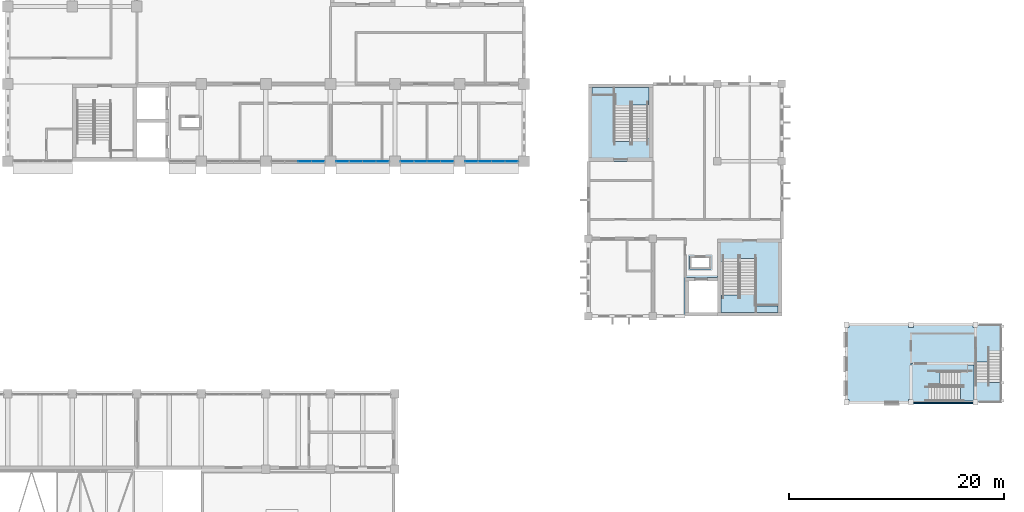
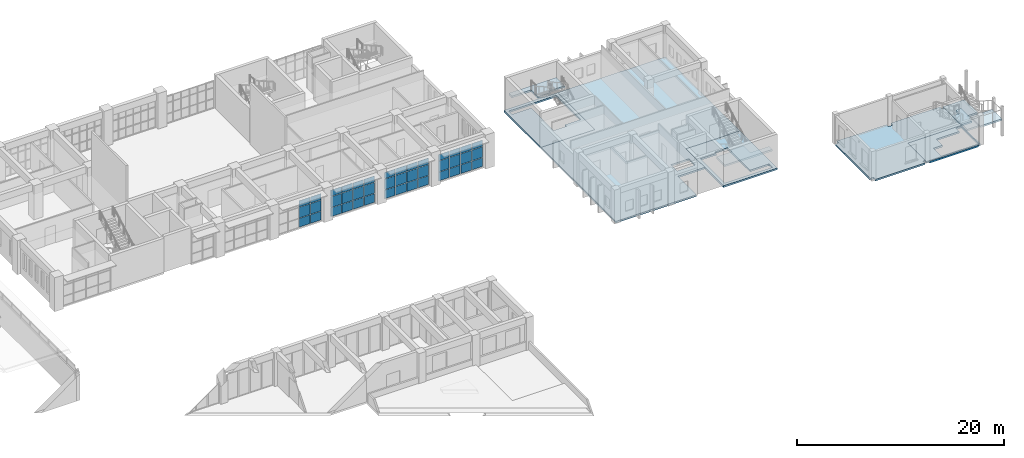
# One storey, part 56 of 92: 42 plates, 11 slabs, 8 elements without a shape of their own.
"""IFC4 building model written with IfcOpenShell, lengths in metres."""

from ifc_helpers import new_model, si_unit, direction, frame, origin, origin_2d, place, context, subcontext, project, spatial, polyline, rectangle, outline, extrude, material, layer, layer_set, type_object, element, aggregate, save


model = new_model("IFC4")

# Units and contexts
model_context = context("Model", 3, precision=1e-05, world=origin(), true_north=direction((0.0, 1.0)))
body_context = subcontext(model_context, "Body", "Model", "MODEL_VIEW")
ifc_project = project(units=[si_unit("LENGTHUNIT", "METRE"), si_unit("AREAUNIT", "SQUARE_METRE"), si_unit("VOLUMEUNIT", "CUBIC_METRE"), si_unit("PLANEANGLEUNIT", "RADIAN"), si_unit("MASSUNIT", "GRAM", prefix="KILO")], contexts=[model_context])

# Site, building, storey
site_placement = place(None, origin())
site = spatial("IfcSite", under=ifc_project, at=site_placement, CompositionType="ELEMENT")
building_placement = place(site_placement, origin())
building = spatial("IfcBuilding", under=site, at=building_placement, Name="Laocheng Heights Fire and Rescue Headquarters", CompositionType="ELEMENT")
storey_placement = place(building_placement, frame((0.0, 0.0, 12.60009765625)))
storey = spatial("IfcBuildingStorey", under=building, at=storey_placement, Name="L03", CompositionType="ELEMENT", Elevation=12.60009765625)

# Curtain wall, plates
ifc_material_1 = material(Name="Dark anodised aluminium unitised curtain wall, low-e double glazing", Category="aluminium")
curtain_wall_type = type_object("IfcCurtainWallType", Name="CW 5000 x 3200 HQ SOUTH RIBBON", PredefinedType="NOTDEFINED", material=ifc_material_1)
curtain_wall_1_placement = place(storey_placement, origin())
curtain_wall_1 = element("IfcCurtainWall", 1, at=curtain_wall_1_placement, inside=storey, type_object=curtain_wall_type, Name="X10-X HQ SOUTH L03", PredefinedType="NOTDEFINED")
ifc_material_2 = material(Name="Laminated safety glass, low-e double glazed unit", Category="glass")
ifc_layer_1 = layer(ifc_material_2, 0.0400390625)
ifc_layer_set_1 = layer_set([ifc_layer_1], Name="Laminated safety glass, low-e double glazed unit")
plate_type_1 = type_object("IfcPlateType", Name="CW LAMINATED SAFETY PANEL 40 X", PredefinedType="CURTAIN_PANEL", material=ifc_layer_set_1)
plate_1_placement = place(storey_placement, frame((63.625, 50.39990234375, 0.050048828125), z_axis=(0.0, 0.0, 1.0), x_axis=(1.0, 0.0, 0.0)))
plate_1 = element("IfcPlate", 2, at=plate_1_placement, type_object=plate_type_1, Name="X10-X panel 3.1", PredefinedType="CURTAIN_PANEL", context=body_context, shape_type="SweptSolid", body=[
    extrude(rectangle(XDim=1.18994140625, YDim=0.0400390625, at=origin_2d()), origin(), (0.0, 0.0, 1.0), 1.02490234375),
])
plate_2_placement = place(storey_placement, frame((64.860107421875, 50.39990234375, 0.050048828125), z_axis=(0.0, 0.0, 1.0), x_axis=(1.0, 0.0, 0.0)))
plate_2 = element("IfcPlate", 3, at=plate_2_placement, type_object=plate_type_1, Name="X10-X panel 4.1", PredefinedType="CURTAIN_PANEL", context=body_context, shape_type="SweptSolid", body=[
    extrude(rectangle(XDim=1.159912109375, YDim=0.0400390625, at=origin_2d()), origin(), (0.0, 0.0, 1.0), 1.02490234375),
])

curtain_wall_2_placement = place(storey_placement, origin())
curtain_wall_2 = element("IfcCurtainWall", 4, at=curtain_wall_2_placement, inside=storey, type_object=curtain_wall_type, Name="X10-X HQ SOUTH L03", PredefinedType="NOTDEFINED")
plate_3_placement = place(storey_placement, frame((67.139892578125, 50.39990234375, 0.050048828125), z_axis=(0.0, 0.0, 1.0), x_axis=(1.0, 0.0, 0.0)))
plate_3 = element("IfcPlate", 5, at=plate_3_placement, type_object=plate_type_1, Name="X10-X panel 1.1", PredefinedType="CURTAIN_PANEL", context=body_context, shape_type="SweptSolid", body=[
    extrude(rectangle(XDim=1.159912109375, YDim=0.0400390625, at=origin_2d()), origin(), (0.0, 0.0, 1.0), 1.02490234375),
])
plate_4_placement = place(storey_placement, frame((68.375, 50.39990234375, 0.050048828125), z_axis=(0.0, 0.0, 1.0), x_axis=(1.0, 0.0, 0.0)))
plate_4 = element("IfcPlate", 6, at=plate_4_placement, type_object=plate_type_1, Name="X10-X panel 2.1", PredefinedType="CURTAIN_PANEL", context=body_context, shape_type="SweptSolid", body=[
    extrude(rectangle(XDim=1.18994140625, YDim=0.0400390625, at=origin_2d()), origin(), (0.0, 0.0, 1.0), 1.02490234375),
])
plate_5_placement = place(storey_placement, frame((69.625, 50.39990234375, 0.050048828125), z_axis=(0.0, 0.0, 1.0), x_axis=(1.0, 0.0, 0.0)))
plate_5 = element("IfcPlate", 7, at=plate_5_placement, type_object=plate_type_1, Name="X10-X panel 3.1", PredefinedType="CURTAIN_PANEL", context=body_context, shape_type="SweptSolid", body=[
    extrude(rectangle(XDim=1.18994140625, YDim=0.0400390625, at=origin_2d()), origin(), (0.0, 0.0, 1.0), 1.02490234375),
])
plate_6_placement = place(storey_placement, frame((70.860107421875, 50.39990234375, 0.050048828125), z_axis=(0.0, 0.0, 1.0), x_axis=(1.0, 0.0, 0.0)))
plate_6 = element("IfcPlate", 8, at=plate_6_placement, type_object=plate_type_1, Name="X10-X panel 4.1", PredefinedType="CURTAIN_PANEL", context=body_context, shape_type="SweptSolid", body=[
    extrude(rectangle(XDim=1.159912109375, YDim=0.0400390625, at=origin_2d()), origin(), (0.0, 0.0, 1.0), 1.02490234375),
])

curtain_wall_3_placement = place(storey_placement, origin())
curtain_wall_3 = element("IfcCurtainWall", 9, at=curtain_wall_3_placement, inside=storey, type_object=curtain_wall_type, Name="X10-X HQ SOUTH L03", PredefinedType="NOTDEFINED")
plate_7_placement = place(storey_placement, frame((73.139892578125, 50.39990234375, 0.050048828125), z_axis=(0.0, 0.0, 1.0), x_axis=(1.0, 0.0, 0.0)))
plate_7 = element("IfcPlate", 10, at=plate_7_placement, type_object=plate_type_1, Name="X10-X panel 1.1", PredefinedType="CURTAIN_PANEL", context=body_context, shape_type="SweptSolid", body=[
    extrude(rectangle(XDim=1.159912109375, YDim=0.0400390625, at=origin_2d()), origin(), (0.0, 0.0, 1.0), 1.02490234375),
])
plate_8_placement = place(storey_placement, frame((74.375, 50.39990234375, 0.050048828125), z_axis=(0.0, 0.0, 1.0), x_axis=(1.0, 0.0, 0.0)))
plate_8 = element("IfcPlate", 11, at=plate_8_placement, type_object=plate_type_1, Name="X10-X panel 2.1", PredefinedType="CURTAIN_PANEL", context=body_context, shape_type="SweptSolid", body=[
    extrude(rectangle(XDim=1.18994140625, YDim=0.0400390625, at=origin_2d()), origin(), (0.0, 0.0, 1.0), 1.02490234375),
])
plate_9_placement = place(storey_placement, frame((75.625, 50.39990234375, 0.050048828125), z_axis=(0.0, 0.0, 1.0), x_axis=(1.0, 0.0, 0.0)))
plate_9 = element("IfcPlate", 12, at=plate_9_placement, type_object=plate_type_1, Name="X10-X panel 3.1", PredefinedType="CURTAIN_PANEL", context=body_context, shape_type="SweptSolid", body=[
    extrude(rectangle(XDim=1.18994140625, YDim=0.0400390625, at=origin_2d()), origin(), (0.0, 0.0, 1.0), 1.02490234375),
])
plate_10_placement = place(storey_placement, frame((76.860107421875, 50.39990234375, 0.050048828125), z_axis=(0.0, 0.0, 1.0), x_axis=(1.0, 0.0, 0.0)))
plate_10 = element("IfcPlate", 13, at=plate_10_placement, type_object=plate_type_1, Name="X10-X panel 4.1", PredefinedType="CURTAIN_PANEL", context=body_context, shape_type="SweptSolid", body=[
    extrude(rectangle(XDim=1.159912109375, YDim=0.0400390625, at=origin_2d()), origin(), (0.0, 0.0, 1.0), 1.02490234375),
])

curtain_wall_4_placement = place(storey_placement, origin())
curtain_wall_4 = element("IfcCurtainWall", 14, at=curtain_wall_4_placement, inside=storey, type_object=curtain_wall_type, Name="X10-X HQ SOUTH L03", PredefinedType="NOTDEFINED")
plate_11_placement = place(storey_placement, frame((79.139892578125, 50.39990234375, 0.050048828125), z_axis=(0.0, 0.0, 1.0), x_axis=(1.0, 0.0, 0.0)))
plate_11 = element("IfcPlate", 15, at=plate_11_placement, type_object=plate_type_1, Name="X10-X panel 1.1", PredefinedType="CURTAIN_PANEL", context=body_context, shape_type="SweptSolid", body=[
    extrude(rectangle(XDim=1.159912109375, YDim=0.0400390625, at=origin_2d()), origin(), (0.0, 0.0, 1.0), 1.02490234375),
])
plate_12_placement = place(storey_placement, frame((80.375, 50.39990234375, 0.050048828125), z_axis=(0.0, 0.0, 1.0), x_axis=(1.0, 0.0, 0.0)))
plate_12 = element("IfcPlate", 16, at=plate_12_placement, type_object=plate_type_1, Name="X10-X panel 2.1", PredefinedType="CURTAIN_PANEL", context=body_context, shape_type="SweptSolid", body=[
    extrude(rectangle(XDim=1.18994140625, YDim=0.0400390625, at=origin_2d()), origin(), (0.0, 0.0, 1.0), 1.02490234375),
])
plate_13_placement = place(storey_placement, frame((81.625, 50.39990234375, 0.050048828125), z_axis=(0.0, 0.0, 1.0), x_axis=(1.0, 0.0, 0.0)))
plate_13 = element("IfcPlate", 17, at=plate_13_placement, type_object=plate_type_1, Name="X10-X panel 3.1", PredefinedType="CURTAIN_PANEL", context=body_context, shape_type="SweptSolid", body=[
    extrude(rectangle(XDim=1.18994140625, YDim=0.0400390625, at=origin_2d()), origin(), (0.0, 0.0, 1.0), 1.02490234375),
])
plate_14_placement = place(storey_placement, frame((82.860107421875, 50.39990234375, 0.050048828125), z_axis=(0.0, 0.0, 1.0), x_axis=(1.0, 0.0, 0.0)))
plate_14 = element("IfcPlate", 18, at=plate_14_placement, type_object=plate_type_1, Name="X10-X panel 4.1", PredefinedType="CURTAIN_PANEL", context=body_context, shape_type="SweptSolid", body=[
    extrude(rectangle(XDim=1.159912109375, YDim=0.0400390625, at=origin_2d()), origin(), (0.0, 0.0, 1.0), 1.02490234375),
])

# Plate
ifc_material_3 = material(Name="Low-e double glazed unit, laminated inner pane")
ifc_layer_2 = layer(ifc_material_3, 0.028076171875)
ifc_layer_set_2 = layer_set([ifc_layer_2], Name="Low-e double glazed unit, laminated inner pane")
plate_type_2 = type_object("IfcPlateType", Name="CW VISION PANEL 28 X", PredefinedType="CURTAIN_PANEL", material=ifc_layer_set_2)
plate_15_placement = place(storey_placement, frame((63.625, 50.39990234375, 1.125), z_axis=(0.0, 0.0, 1.0), x_axis=(1.0, 0.0, 0.0)))
plate_15 = element("IfcPlate", 19, at=plate_15_placement, type_object=plate_type_2, Name="X10-X panel 3.2", PredefinedType="CURTAIN_PANEL", context=body_context, shape_type="SweptSolid", body=[
    extrude(rectangle(XDim=1.18994140625, YDim=0.028076171875, at=origin_2d()), origin(), (0.0, 0.0, 1.0), 1.25),
])

plate_16_placement = place(storey_placement, frame((63.625, 50.39990234375, 2.4248046875), z_axis=(0.0, 0.0, 1.0), x_axis=(1.0, 0.0, 0.0)))
plate_16 = element("IfcPlate", 20, at=plate_16_placement, type_object=plate_type_2, Name="X10-X panel 3.3", PredefinedType="CURTAIN_PANEL", context=body_context, shape_type="SweptSolid", body=[
    extrude(rectangle(XDim=1.18994140625, YDim=0.028076171875, at=origin_2d()), origin(), (0.0, 0.0, 1.0), 0.72509765625),
])

plate_17_placement = place(storey_placement, frame((64.860107421875, 50.39990234375, 1.125), z_axis=(0.0, 0.0, 1.0), x_axis=(1.0, 0.0, 0.0)))
plate_17 = element("IfcPlate", 21, at=plate_17_placement, type_object=plate_type_2, Name="X10-X panel 4.2", PredefinedType="CURTAIN_PANEL", context=body_context, shape_type="SweptSolid", body=[
    extrude(rectangle(XDim=1.159912109375, YDim=0.028076171875, at=origin_2d()), origin(), (0.0, 0.0, 1.0), 1.25),
])

plate_18_placement = place(storey_placement, frame((64.860107421875, 50.39990234375, 2.4248046875), z_axis=(0.0, 0.0, 1.0), x_axis=(1.0, 0.0, 0.0)))
plate_18 = element("IfcPlate", 22, at=plate_18_placement, type_object=plate_type_2, Name="X10-X panel 4.3", PredefinedType="CURTAIN_PANEL", context=body_context, shape_type="SweptSolid", body=[
    extrude(rectangle(XDim=1.159912109375, YDim=0.028076171875, at=origin_2d()), origin(), (0.0, 0.0, 1.0), 0.72509765625),
])

aggregate(curtain_wall_1, [plate_1, plate_15, plate_16, plate_2, plate_17, plate_18])

plate_19_placement = place(storey_placement, frame((67.139892578125, 50.39990234375, 1.125), z_axis=(0.0, 0.0, 1.0), x_axis=(1.0, 0.0, 0.0)))
plate_19 = element("IfcPlate", 23, at=plate_19_placement, type_object=plate_type_2, Name="X10-X panel 1.2", PredefinedType="CURTAIN_PANEL", context=body_context, shape_type="SweptSolid", body=[
    extrude(rectangle(XDim=1.159912109375, YDim=0.028076171875, at=origin_2d()), origin(), (0.0, 0.0, 1.0), 1.25),
])

plate_20_placement = place(storey_placement, frame((67.139892578125, 50.39990234375, 2.4248046875), z_axis=(0.0, 0.0, 1.0), x_axis=(1.0, 0.0, 0.0)))
plate_20 = element("IfcPlate", 24, at=plate_20_placement, type_object=plate_type_2, Name="X10-X panel 1.3", PredefinedType="CURTAIN_PANEL", context=body_context, shape_type="SweptSolid", body=[
    extrude(rectangle(XDim=1.159912109375, YDim=0.028076171875, at=origin_2d()), origin(), (0.0, 0.0, 1.0), 0.72509765625),
])

plate_21_placement = place(storey_placement, frame((68.375, 50.39990234375, 1.125), z_axis=(0.0, 0.0, 1.0), x_axis=(1.0, 0.0, 0.0)))
plate_21 = element("IfcPlate", 25, at=plate_21_placement, type_object=plate_type_2, Name="X10-X panel 2.2", PredefinedType="CURTAIN_PANEL", context=body_context, shape_type="SweptSolid", body=[
    extrude(rectangle(XDim=1.18994140625, YDim=0.028076171875, at=origin_2d()), origin(), (0.0, 0.0, 1.0), 1.25),
])

plate_22_placement = place(storey_placement, frame((68.375, 50.39990234375, 2.4248046875), z_axis=(0.0, 0.0, 1.0), x_axis=(1.0, 0.0, 0.0)))
plate_22 = element("IfcPlate", 26, at=plate_22_placement, type_object=plate_type_2, Name="X10-X panel 2.3", PredefinedType="CURTAIN_PANEL", context=body_context, shape_type="SweptSolid", body=[
    extrude(rectangle(XDim=1.18994140625, YDim=0.028076171875, at=origin_2d()), origin(), (0.0, 0.0, 1.0), 0.72509765625),
])

plate_23_placement = place(storey_placement, frame((69.625, 50.39990234375, 1.125), z_axis=(0.0, 0.0, 1.0), x_axis=(1.0, 0.0, 0.0)))
plate_23 = element("IfcPlate", 27, at=plate_23_placement, type_object=plate_type_2, Name="X10-X panel 3.2", PredefinedType="CURTAIN_PANEL", context=body_context, shape_type="SweptSolid", body=[
    extrude(rectangle(XDim=1.18994140625, YDim=0.028076171875, at=origin_2d()), origin(), (0.0, 0.0, 1.0), 1.25),
])

plate_24_placement = place(storey_placement, frame((69.625, 50.39990234375, 2.4248046875), z_axis=(0.0, 0.0, 1.0), x_axis=(1.0, 0.0, 0.0)))
plate_24 = element("IfcPlate", 28, at=plate_24_placement, type_object=plate_type_2, Name="X10-X panel 3.3", PredefinedType="CURTAIN_PANEL", context=body_context, shape_type="SweptSolid", body=[
    extrude(rectangle(XDim=1.18994140625, YDim=0.028076171875, at=origin_2d()), origin(), (0.0, 0.0, 1.0), 0.72509765625),
])

plate_25_placement = place(storey_placement, frame((70.860107421875, 50.39990234375, 1.125), z_axis=(0.0, 0.0, 1.0), x_axis=(1.0, 0.0, 0.0)))
plate_25 = element("IfcPlate", 29, at=plate_25_placement, type_object=plate_type_2, Name="X10-X panel 4.2", PredefinedType="CURTAIN_PANEL", context=body_context, shape_type="SweptSolid", body=[
    extrude(rectangle(XDim=1.159912109375, YDim=0.028076171875, at=origin_2d()), origin(), (0.0, 0.0, 1.0), 1.25),
])

plate_26_placement = place(storey_placement, frame((70.860107421875, 50.39990234375, 2.4248046875), z_axis=(0.0, 0.0, 1.0), x_axis=(1.0, 0.0, 0.0)))
plate_26 = element("IfcPlate", 30, at=plate_26_placement, type_object=plate_type_2, Name="X10-X panel 4.3", PredefinedType="CURTAIN_PANEL", context=body_context, shape_type="SweptSolid", body=[
    extrude(rectangle(XDim=1.159912109375, YDim=0.028076171875, at=origin_2d()), origin(), (0.0, 0.0, 1.0), 0.72509765625),
])

aggregate(curtain_wall_2, [plate_3, plate_19, plate_20, plate_4, plate_21, plate_22, plate_5, plate_23, plate_24, plate_6, plate_25, plate_26])

plate_27_placement = place(storey_placement, frame((73.139892578125, 50.39990234375, 1.125), z_axis=(0.0, 0.0, 1.0), x_axis=(1.0, 0.0, 0.0)))
plate_27 = element("IfcPlate", 31, at=plate_27_placement, type_object=plate_type_2, Name="X10-X panel 1.2", PredefinedType="CURTAIN_PANEL", context=body_context, shape_type="SweptSolid", body=[
    extrude(rectangle(XDim=1.159912109375, YDim=0.028076171875, at=origin_2d()), origin(), (0.0, 0.0, 1.0), 1.25),
])

plate_28_placement = place(storey_placement, frame((73.139892578125, 50.39990234375, 2.4248046875), z_axis=(0.0, 0.0, 1.0), x_axis=(1.0, 0.0, 0.0)))
plate_28 = element("IfcPlate", 32, at=plate_28_placement, type_object=plate_type_2, Name="X10-X panel 1.3", PredefinedType="CURTAIN_PANEL", context=body_context, shape_type="SweptSolid", body=[
    extrude(rectangle(XDim=1.159912109375, YDim=0.028076171875, at=origin_2d()), origin(), (0.0, 0.0, 1.0), 0.72509765625),
])

plate_29_placement = place(storey_placement, frame((74.375, 50.39990234375, 1.125), z_axis=(0.0, 0.0, 1.0), x_axis=(1.0, 0.0, 0.0)))
plate_29 = element("IfcPlate", 33, at=plate_29_placement, type_object=plate_type_2, Name="X10-X panel 2.2", PredefinedType="CURTAIN_PANEL", context=body_context, shape_type="SweptSolid", body=[
    extrude(rectangle(XDim=1.18994140625, YDim=0.028076171875, at=origin_2d()), origin(), (0.0, 0.0, 1.0), 1.25),
])

plate_30_placement = place(storey_placement, frame((74.375, 50.39990234375, 2.4248046875), z_axis=(0.0, 0.0, 1.0), x_axis=(1.0, 0.0, 0.0)))
plate_30 = element("IfcPlate", 34, at=plate_30_placement, type_object=plate_type_2, Name="X10-X panel 2.3", PredefinedType="CURTAIN_PANEL", context=body_context, shape_type="SweptSolid", body=[
    extrude(rectangle(XDim=1.18994140625, YDim=0.028076171875, at=origin_2d()), origin(), (0.0, 0.0, 1.0), 0.72509765625),
])

plate_31_placement = place(storey_placement, frame((75.625, 50.39990234375, 1.125), z_axis=(0.0, 0.0, 1.0), x_axis=(1.0, 0.0, 0.0)))
plate_31 = element("IfcPlate", 35, at=plate_31_placement, type_object=plate_type_2, Name="X10-X panel 3.2", PredefinedType="CURTAIN_PANEL", context=body_context, shape_type="SweptSolid", body=[
    extrude(rectangle(XDim=1.18994140625, YDim=0.028076171875, at=origin_2d()), origin(), (0.0, 0.0, 1.0), 1.25),
])

plate_32_placement = place(storey_placement, frame((75.625, 50.39990234375, 2.4248046875), z_axis=(0.0, 0.0, 1.0), x_axis=(1.0, 0.0, 0.0)))
plate_32 = element("IfcPlate", 36, at=plate_32_placement, type_object=plate_type_2, Name="X10-X panel 3.3", PredefinedType="CURTAIN_PANEL", context=body_context, shape_type="SweptSolid", body=[
    extrude(rectangle(XDim=1.18994140625, YDim=0.028076171875, at=origin_2d()), origin(), (0.0, 0.0, 1.0), 0.72509765625),
])

plate_33_placement = place(storey_placement, frame((76.860107421875, 50.39990234375, 1.125), z_axis=(0.0, 0.0, 1.0), x_axis=(1.0, 0.0, 0.0)))
plate_33 = element("IfcPlate", 37, at=plate_33_placement, type_object=plate_type_2, Name="X10-X panel 4.2", PredefinedType="CURTAIN_PANEL", context=body_context, shape_type="SweptSolid", body=[
    extrude(rectangle(XDim=1.159912109375, YDim=0.028076171875, at=origin_2d()), origin(), (0.0, 0.0, 1.0), 1.25),
])

plate_34_placement = place(storey_placement, frame((76.860107421875, 50.39990234375, 2.4248046875), z_axis=(0.0, 0.0, 1.0), x_axis=(1.0, 0.0, 0.0)))
plate_34 = element("IfcPlate", 38, at=plate_34_placement, type_object=plate_type_2, Name="X10-X panel 4.3", PredefinedType="CURTAIN_PANEL", context=body_context, shape_type="SweptSolid", body=[
    extrude(rectangle(XDim=1.159912109375, YDim=0.028076171875, at=origin_2d()), origin(), (0.0, 0.0, 1.0), 0.72509765625),
])

aggregate(curtain_wall_3, [plate_7, plate_27, plate_28, plate_8, plate_29, plate_30, plate_9, plate_31, plate_32, plate_10, plate_33, plate_34])

plate_35_placement = place(storey_placement, frame((79.139892578125, 50.39990234375, 1.125), z_axis=(0.0, 0.0, 1.0), x_axis=(1.0, 0.0, 0.0)))
plate_35 = element("IfcPlate", 39, at=plate_35_placement, type_object=plate_type_2, Name="X10-X panel 1.2", PredefinedType="CURTAIN_PANEL", context=body_context, shape_type="SweptSolid", body=[
    extrude(rectangle(XDim=1.159912109375, YDim=0.028076171875, at=origin_2d()), origin(), (0.0, 0.0, 1.0), 1.25),
])

plate_36_placement = place(storey_placement, frame((79.139892578125, 50.39990234375, 2.4248046875), z_axis=(0.0, 0.0, 1.0), x_axis=(1.0, 0.0, 0.0)))
plate_36 = element("IfcPlate", 40, at=plate_36_placement, type_object=plate_type_2, Name="X10-X panel 1.3", PredefinedType="CURTAIN_PANEL", context=body_context, shape_type="SweptSolid", body=[
    extrude(rectangle(XDim=1.159912109375, YDim=0.028076171875, at=origin_2d()), origin(), (0.0, 0.0, 1.0), 0.72509765625),
])

plate_37_placement = place(storey_placement, frame((80.375, 50.39990234375, 1.125), z_axis=(0.0, 0.0, 1.0), x_axis=(1.0, 0.0, 0.0)))
plate_37 = element("IfcPlate", 41, at=plate_37_placement, type_object=plate_type_2, Name="X10-X panel 2.2", PredefinedType="CURTAIN_PANEL", context=body_context, shape_type="SweptSolid", body=[
    extrude(rectangle(XDim=1.18994140625, YDim=0.028076171875, at=origin_2d()), origin(), (0.0, 0.0, 1.0), 1.25),
])

plate_38_placement = place(storey_placement, frame((80.375, 50.39990234375, 2.4248046875), z_axis=(0.0, 0.0, 1.0), x_axis=(1.0, 0.0, 0.0)))
plate_38 = element("IfcPlate", 42, at=plate_38_placement, type_object=plate_type_2, Name="X10-X panel 2.3", PredefinedType="CURTAIN_PANEL", context=body_context, shape_type="SweptSolid", body=[
    extrude(rectangle(XDim=1.18994140625, YDim=0.028076171875, at=origin_2d()), origin(), (0.0, 0.0, 1.0), 0.72509765625),
])

plate_39_placement = place(storey_placement, frame((81.625, 50.39990234375, 1.125), z_axis=(0.0, 0.0, 1.0), x_axis=(1.0, 0.0, 0.0)))
plate_39 = element("IfcPlate", 43, at=plate_39_placement, type_object=plate_type_2, Name="X10-X panel 3.2", PredefinedType="CURTAIN_PANEL", context=body_context, shape_type="SweptSolid", body=[
    extrude(rectangle(XDim=1.18994140625, YDim=0.028076171875, at=origin_2d()), origin(), (0.0, 0.0, 1.0), 1.25),
])

plate_40_placement = place(storey_placement, frame((81.625, 50.39990234375, 2.4248046875), z_axis=(0.0, 0.0, 1.0), x_axis=(1.0, 0.0, 0.0)))
plate_40 = element("IfcPlate", 44, at=plate_40_placement, type_object=plate_type_2, Name="X10-X panel 3.3", PredefinedType="CURTAIN_PANEL", context=body_context, shape_type="SweptSolid", body=[
    extrude(rectangle(XDim=1.18994140625, YDim=0.028076171875, at=origin_2d()), origin(), (0.0, 0.0, 1.0), 0.72509765625),
])

plate_41_placement = place(storey_placement, frame((82.860107421875, 50.39990234375, 1.125), z_axis=(0.0, 0.0, 1.0), x_axis=(1.0, 0.0, 0.0)))
plate_41 = element("IfcPlate", 45, at=plate_41_placement, type_object=plate_type_2, Name="X10-X panel 4.2", PredefinedType="CURTAIN_PANEL", context=body_context, shape_type="SweptSolid", body=[
    extrude(rectangle(XDim=1.159912109375, YDim=0.028076171875, at=origin_2d()), origin(), (0.0, 0.0, 1.0), 1.25),
])

plate_42_placement = place(storey_placement, frame((82.860107421875, 50.39990234375, 2.4248046875), z_axis=(0.0, 0.0, 1.0), x_axis=(1.0, 0.0, 0.0)))
plate_42 = element("IfcPlate", 46, at=plate_42_placement, type_object=plate_type_2, Name="X10-X panel 4.3", PredefinedType="CURTAIN_PANEL", context=body_context, shape_type="SweptSolid", body=[
    extrude(rectangle(XDim=1.159912109375, YDim=0.028076171875, at=origin_2d()), origin(), (0.0, 0.0, 1.0), 0.72509765625),
])

aggregate(curtain_wall_4, [plate_11, plate_35, plate_36, plate_12, plate_37, plate_38, plate_13, plate_39, plate_40, plate_14, plate_41, plate_42])

# Slabs
ifc_material_4 = material(Name="Concrete C40", Category="concrete")
ifc_layer_3 = layer(ifc_material_4, 0.199951171875)
ifc_layer_set_3 = layer_set([ifc_layer_3], Name="Concrete C40")
slab_type_1 = type_object("IfcSlabType", Name="RC FLOOR SLAB 200 CREW", PredefinedType="FLOOR", material=ifc_layer_set_3)
slab_1_placement = place(storey_placement, frame((0.0, 0.0, -0.2001953125)))
element("IfcSlab", 47, at=slab_1_placement, inside=storey, type_object=slab_type_1, Name="Crew floor L03", PredefinedType="FLOOR", context=body_context, shape_type="SweptSolid", body=[
    extrude(outline(polyline([(108.0, 57.60009765625), (96.0, 57.60009765625), (96.0, 50.39990234375), (90.0, 50.39990234375), (90.0, 36.0), (99.0, 36.0), (99.0, 39.60009765625), (102.0, 39.60009765625), (102.0, 43.199951171875), (108.0, 43.199951171875), (108.0, 57.60009765625)]), holes=[polyline([(101.39990234375, 40.39990234375), (99.39990234375, 40.39990234375), (99.39990234375, 41.60009765625), (101.39990234375, 41.60009765625), (101.39990234375, 40.39990234375)])]), origin(), (0.0, 0.0, 1.0), 0.2001953125),
])
ifc_material_5 = material(Name="Concrete C40", Category="concrete")
ifc_layer_4 = layer(ifc_material_5, 0.199951171875)
ifc_layer_set_4 = layer_set([ifc_layer_4], Name="Concrete C40")
slab_type_2 = type_object("IfcSlabType", Name="RC FLOOR SLAB 200 DRILL TOWER", PredefinedType="FLOOR", material=ifc_layer_set_4)
slab_2_placement = place(storey_placement, frame((0.0, 0.0, 1.199951171875)))
element("IfcSlab", 48, at=slab_2_placement, inside=storey, type_object=slab_type_2, Name="Drill tower floor F5", PredefinedType="FLOOR", context=body_context, shape_type="SweptSolid", body=[
    extrude(outline(polyline([(126.0, 31.60009765625), (126.0, 34.949951171875), (125.75, 34.949951171875), (125.75, 35.324951171875), (120.25, 35.324951171875), (120.25, 34.949951171875), (119.75, 34.949951171875), (119.75, 35.324951171875), (114.25, 35.324951171875), (114.25, 34.949951171875), (113.875, 34.949951171875), (113.875, 28.25), (114.25, 28.25), (114.25, 27.875), (119.75, 27.875), (119.75, 28.25), (120.0, 28.25), (120.0, 31.60009765625), (126.0, 31.60009765625)])), origin(), (0.0, 0.0, 1.0), 0.199951171875),
])
slab_3_placement = place(storey_placement, frame((0.0, 0.0, 1.199951171875)))
element("IfcSlab", 49, at=slab_3_placement, inside=storey, type_object=slab_type_2, Name="Drill tower floor F5", PredefinedType="FLOOR", context=body_context, shape_type="SweptSolid", body=[
    extrude(outline(polyline([(120.25, 27.875), (125.75, 27.875), (125.75, 28.0), (120.25, 28.0), (120.25, 27.875)])), origin(), (0.0, 0.0, 1.0), 0.199951171875),
])

# Stair, slab
ifc_material_6 = material(Name="Concrete C40", Category="concrete")
stair_type_1 = type_object("IfcStairType", Name="RC STAIR 1400 TWO FLIGHTS 28 RISERS OF 150 GOING 260", PredefinedType="HALF_TURN_STAIR", material=ifc_material_6)
stair_1_placement = place(storey_placement, origin())
stair_1 = element("IfcStair", 50, at=stair_1_placement, inside=storey, type_object=stair_type_1, Name="Stair C1 (L03 to L04)", PredefinedType="HALF_TURN_STAIR")
ifc_material_7 = material(Name="Concrete C40", Category="concrete")
ifc_layer_5 = layer(ifc_material_7, 0.199951171875)
ifc_layer_set_5 = layer_set([ifc_layer_5], Name="Concrete C40")
slab_type_3 = type_object("IfcSlabType", Name="STAIR FLOOR LANDING 200", PredefinedType="LANDING", material=ifc_layer_set_5)
slab_4_placement = place(storey_placement, frame((0.0, 0.0, -0.2001953125)))
slab_4 = element("IfcSlab", 51, at=slab_4_placement, type_object=slab_type_3, Name="Stair C1 floor landing L03", PredefinedType="LANDING", context=body_context, shape_type="SweptSolid", body=[
    extrude(outline(polyline([(102.0, 43.199951171875), (108.0, 43.199951171875), (108.0, 36.0), (102.0, 36.0), (102.0, 43.199951171875)]), holes=[polyline([(105.52490234375, 36.35009765625), (107.64990234375, 36.35009765625), (107.64990234375, 36.949951171875), (107.60009765625, 36.949951171875), (107.60009765625, 37.0), (105.52490234375, 37.0), (105.52490234375, 38.270263671875), (105.52490234375, 41.346923828125), (104.125, 41.346923828125), (104.125, 41.0498046875), (102.35009765625, 41.0498046875), (102.35009765625, 37.972900390625), (102.35009765625, 36.35009765625), (104.125, 36.35009765625), (105.52490234375, 36.35009765625)])]), origin(), (0.0, 0.0, 1.0), 0.2001953125),
])

stair_2_placement = place(storey_placement, origin())
stair_2 = element("IfcStair", 52, at=stair_2_placement, inside=storey, type_object=stair_type_1, Name="Stair C2 (L03 to L04)", PredefinedType="HALF_TURN_STAIR")
slab_5_placement = place(storey_placement, frame((0.0, 0.0, -0.2001953125)))
slab_5 = element("IfcSlab", 53, at=slab_5_placement, type_object=slab_type_3, Name="Stair C2 floor landing L03", PredefinedType="LANDING", context=body_context, shape_type="SweptSolid", body=[
    extrude(outline(polyline([(90.0, 57.60009765625), (96.0, 57.60009765625), (96.0, 50.39990234375), (90.0, 50.39990234375), (90.0, 57.60009765625)]), holes=[polyline([(92.47509765625, 57.25), (90.35009765625, 57.25), (90.35009765625, 56.64990234375), (90.39990234375, 56.64990234375), (90.39990234375, 56.60009765625), (92.47509765625, 56.60009765625), (92.47509765625, 55.329833984375), (92.47509765625, 52.2529296875), (93.875, 52.2529296875), (93.875, 52.550048828125), (95.64990234375, 52.550048828125), (95.64990234375, 55.626953125), (95.64990234375, 57.25), (93.875, 57.25), (92.47509765625, 57.25)])]), origin(), (0.0, 0.0, 1.0), 0.2001953125),
])

ifc_material_8 = material(Name="Concrete C40", Category="concrete")
stair_type_2 = type_object("IfcStairType", Name="RC STAIR 1200 TWO FLIGHTS 20 RISERS OF 175 GOING 270", PredefinedType="HALF_TURN_STAIR", material=ifc_material_8)
stair_3_placement = place(storey_placement, origin())
stair_3 = element("IfcStair", 54, at=stair_3_placement, inside=storey, type_object=stair_type_2, Name="Stair T1 (F5 to F6)", PredefinedType="HALF_TURN_STAIR")
slab_6_placement = place(storey_placement, frame((0.0, 0.0, 1.199951171875)))
slab_6 = element("IfcSlab", 55, at=slab_6_placement, type_object=slab_type_3, Name="Stair T1 floor landing F5", PredefinedType="LANDING", context=body_context, shape_type="SweptSolid", body=[
    extrude(outline(polyline([(120.0, 31.60009765625), (126.0, 31.60009765625), (126.0, 28.0), (120.0, 28.0), (120.0, 31.60009765625)]), holes=[polyline([(121.717041015625, 29.60009765625), (121.717041015625, 28.125), (124.592041015625, 28.125), (125.875, 28.125), (125.875, 29.60009765625), (125.875, 30.800048828125), (125.875, 31.47509765625), (125.27490234375, 31.47509765625), (125.27490234375, 30.800048828125), (124.503173828125, 30.800048828125), (122.7080078125, 30.800048828125), (122.7080078125, 29.60009765625), (121.717041015625, 29.60009765625)])]), origin(), (0.0, 0.0, 1.0), 0.199951171875),
])

stair_4_placement = place(storey_placement, origin())
stair_4 = element("IfcStair", 56, at=stair_4_placement, inside=storey, type_object=stair_type_2, Name="Stair T2 (F5 to F6)", PredefinedType="HALF_TURN_STAIR")
slab_7_placement = place(storey_placement, frame((0.0, 0.0, 1.199951171875)))
slab_7 = element("IfcSlab", 57, at=slab_7_placement, type_object=slab_type_3, Name="Stair T2 floor landing F5", PredefinedType="LANDING", context=body_context, shape_type="SweptSolid", body=[
    extrude(outline(polyline([(126.0, 31.717041015625), (127.199951171875, 31.717041015625), (127.199951171875, 32.7080078125), (128.39990234375, 32.7080078125), (128.39990234375, 32.800048828125), (128.39990234375, 35.199951171875), (126.0, 35.199951171875), (126.0, 32.800048828125), (126.0, 32.800048828125), (126.0, 31.717041015625)])), origin(), (0.0, 0.0, 1.0), 0.199951171875),
])

# Slab
ifc_material_9 = material(Name="Concrete C40", Category="concrete")
ifc_layer_6 = layer(ifc_material_9, 0.201904296875)
ifc_layer_set_6 = layer_set([ifc_layer_6], Name="Concrete C40")
slab_type_4 = type_object("IfcSlabType", Name="STAIR HALF LANDING 202", PredefinedType="LANDING", material=ifc_layer_set_6)
slab_8_placement = place(storey_placement, frame((0.0, 0.0, 1.89990234375)))
slab_8 = element("IfcSlab", 58, at=slab_8_placement, type_object=slab_type_4, Name="C1-L03 landing 1", PredefinedType="LANDING", context=body_context, shape_type="SweptSolid", body=[
    extrude(outline(polyline([(107.64990234375, 36.949951171875), (107.64990234375, 36.35009765625), (105.52490234375, 36.35009765625), (104.125, 36.35009765625), (102.35009765625, 36.35009765625), (102.35009765625, 37.972900390625), (104.125, 37.972900390625), (104.125, 38.270263671875), (105.52490234375, 38.270263671875), (105.52490234375, 36.949951171875), (107.64990234375, 36.949951171875)])), origin(), (0.0, 0.0, 1.0), 0.201904296875),
])

aggregate(stair_1, [slab_8, slab_4])

slab_9_placement = place(storey_placement, frame((0.0, 0.0, 1.89990234375)))
slab_9 = element("IfcSlab", 59, at=slab_9_placement, type_object=slab_type_4, Name="C2-L03 landing 1", PredefinedType="LANDING", context=body_context, shape_type="SweptSolid", body=[
    extrude(outline(polyline([(90.35009765625, 56.64990234375), (90.35009765625, 57.25), (92.47509765625, 57.25), (93.875, 57.25), (95.64990234375, 57.25), (95.64990234375, 55.626953125), (93.875, 55.626953125), (93.875, 55.329833984375), (92.47509765625, 55.329833984375), (92.47509765625, 56.64990234375), (90.35009765625, 56.64990234375)])), origin(), (0.0, 0.0, 1.0), 0.201904296875),
])

aggregate(stair_2, [slab_9, slab_5])

slab_10_placement = place(storey_placement, frame((0.0, 0.0, 3.2998046875)))
slab_10 = element("IfcSlab", 60, at=slab_10_placement, type_object=slab_type_4, Name="T1-F5 landing 1", PredefinedType="LANDING", context=body_context, shape_type="SweptSolid", body=[
    extrude(outline(polyline([(125.27490234375, 31.47509765625), (125.875, 31.47509765625), (125.875, 30.800048828125), (125.875, 29.60009765625), (125.875, 28.125), (124.592041015625, 28.125), (124.592041015625, 29.60009765625), (124.503173828125, 29.60009765625), (124.503173828125, 30.800048828125), (125.27490234375, 30.800048828125), (125.27490234375, 31.47509765625)])), origin(), (0.0, 0.0, 1.0), 0.2021484375),
])

aggregate(stair_3, [slab_10, slab_6])

slab_11_placement = place(storey_placement, frame((0.0, 0.0, 3.2998046875)))
slab_11 = element("IfcSlab", 61, at=slab_11_placement, type_object=slab_type_4, Name="T2-F5 landing 1", PredefinedType="LANDING", context=body_context, shape_type="SweptSolid", body=[
    extrude(outline(polyline([(128.39990234375, 28.0), (128.39990234375, 29.8330078125), (127.199951171875, 29.8330078125), (127.199951171875, 29.921875), (126.0, 29.921875), (126.0, 28.0), (127.199951171875, 28.0), (128.39990234375, 28.0)])), origin(), (0.0, 0.0, 1.0), 0.2021484375),
])

aggregate(stair_4, [slab_11, slab_7])

save(model, "model.ifc")
